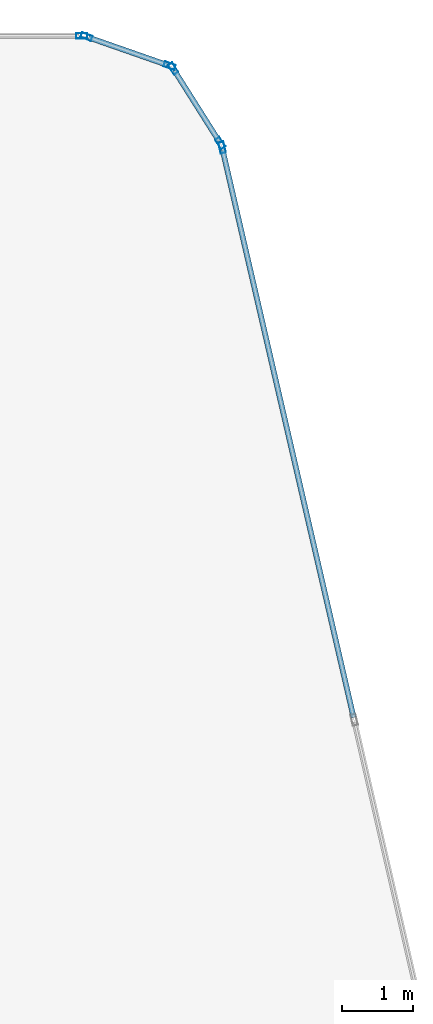
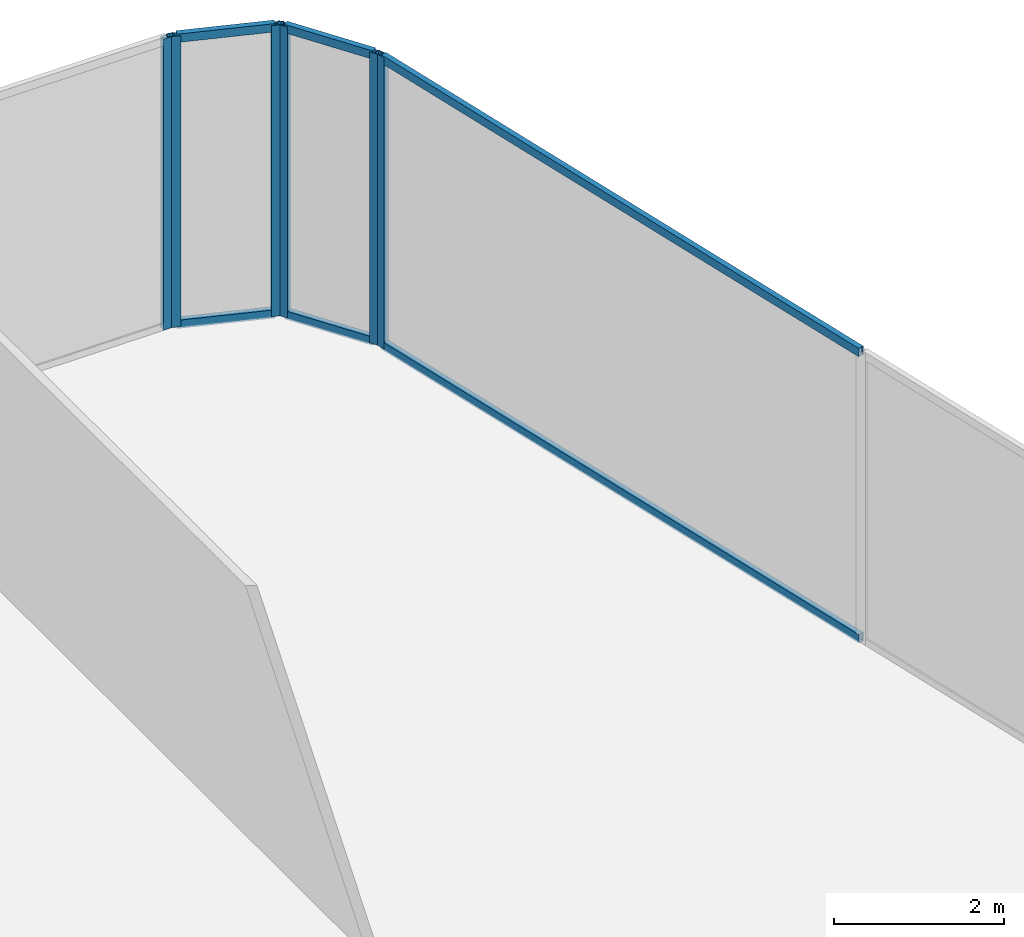
# One storey, part 23 of 31: 12 members, 4 elements without a shape of their own.
"""IFC4 building model written with IfcOpenShell, lengths in metres."""

from ifc_helpers import new_model, si_unit, direction, frame, origin, origin_2d, place, context, subcontext, project, spatial, hollow_rectangle, extrude, material, layer, layer_set, material_profile, profile_set, type_object, element, aggregate, save


model = new_model("IFC4")

# Units and contexts
model_context = context("Model", 3, precision=1e-05, world=origin(), true_north=direction((0.0, 1.0)))
body_context = subcontext(model_context, "Body", "Model", "MODEL_VIEW")
ifc_project = project(units=[si_unit("LENGTHUNIT", "METRE"), si_unit("AREAUNIT", "SQUARE_METRE"), si_unit("VOLUMEUNIT", "CUBIC_METRE"), si_unit("PLANEANGLEUNIT", "RADIAN"), si_unit("MASSUNIT", "GRAM", prefix="KILO")], contexts=[model_context])

# Site, building, storey
site_placement = place(None, origin())
site = spatial("IfcSite", under=ifc_project, at=site_placement, CompositionType="ELEMENT")
building_placement = place(site_placement, origin())
building = spatial("IfcBuilding", under=site, at=building_placement, Name="Keshet Zoharim Tower", CompositionType="ELEMENT")
storey_placement = place(building_placement, frame((0.0, 0.0, 183.89990234375)))
storey = spatial("IfcBuildingStorey", under=building, at=storey_placement, Name="L45", CompositionType="ELEMENT", Elevation=183.89990234375)

# Curtain wall, member
ifc_material = material(Name="Aluminium 6063-T6", Category="aluminium")
ifc_layer = layer(ifc_material, 0.139892578125)
ifc_layer_set = layer_set([ifc_layer], Name="Aluminium 6063-T6")
curtain_wall_type = type_object("IfcCurtainWallType", Name="CW-SYS-05", PredefinedType="NOTDEFINED", material=ifc_layer_set)
curtain_wall_1_placement = place(storey_placement, origin())
curtain_wall_1 = element("IfcCurtainWall", 1, at=curtain_wall_1_placement, inside=storey, type_object=curtain_wall_type, Name="L45 Unitised Curtain Wall 01 Part 3", PredefinedType="NOTDEFINED")
ifc_material_profile_1 = material_profile(ifc_material, hollow_rectangle(XDim=0.074951171875, YDim=0.159912109375, WallThickness=0.00390625, at=origin_2d()), Name="MUL-75x160")
ifc_profile_set_1 = profile_set([ifc_material_profile_1], Name="Aluminium 6063-T6")
member_type_1 = type_object("IfcMemberType", Name="CWM-M15", PredefinedType="MULLION", material=ifc_profile_set_1)
member_1_placement = place(storey_placement, frame((37.3740234375, 53.89990234375, 0.0), z_axis=(0.0, 0.0, 1.0), x_axis=(0.0, 1.0, 0.0)))
member_1 = element("IfcMember", 2, at=member_1_placement, type_object=member_type_1, Name="CW-05 mullion 3", PredefinedType="MULLION", context=body_context, shape_type="SweptSolid", body=[
    extrude(hollow_rectangle(XDim=0.074951171875, YDim=0.159912109375, WallThickness=0.00390625, at=origin_2d()), origin(), (0.0, 0.0, 1.0), 4.190185546875),
])
aggregate(curtain_wall_1, [member_1])

# Curtain wall, members
curtain_wall_2_placement = place(storey_placement, origin())
curtain_wall_2 = element("IfcCurtainWall", 3, at=curtain_wall_2_placement, inside=storey, type_object=curtain_wall_type, Name="L45 Unitised Curtain Wall 02", PredefinedType="NOTDEFINED")
member_2_placement = place(storey_placement, frame((37.442138671875, 53.888427734375, 0.0), z_axis=(0.0, 0.0, 1.0), x_axis=(0.329843743636, 0.944035542119, 0.0)))
member_2 = element("IfcMember", 4, at=member_2_placement, type_object=member_type_1, Name="CW-05 mullion 1", PredefinedType="MULLION", context=body_context, shape_type="SweptSolid", body=[
    extrude(hollow_rectangle(XDim=0.074951171875, YDim=0.159912109375, WallThickness=0.00390625, at=origin_2d()), origin(), (0.0, 0.0, 1.0), 4.190185546875),
])
member_3_placement = place(storey_placement, frame((38.620849609375, 53.4765625, 0.0), z_axis=(0.0, 0.0, 1.0), x_axis=(0.329843743636, 0.944035542119, 0.0)))
member_3 = element("IfcMember", 5, at=member_3_placement, type_object=member_type_1, Name="CW-05 mullion 2", PredefinedType="MULLION", context=body_context, shape_type="SweptSolid", body=[
    extrude(hollow_rectangle(XDim=0.074951171875, YDim=0.159912109375, WallThickness=0.00390625, at=origin_2d()), origin(), (0.0, 0.0, 1.0), 4.190185546875),
])

curtain_wall_3_placement = place(storey_placement, origin())
curtain_wall_3 = element("IfcCurtainWall", 6, at=curtain_wall_3_placement, inside=storey, type_object=curtain_wall_type, Name="L45 Unitised Curtain Wall 03", PredefinedType="NOTDEFINED")
member_4_placement = place(storey_placement, frame((38.672607421875, 53.435302734375, 0.0), z_axis=(0.0, 0.0, 1.0), x_axis=(0.845560976183, 0.533878858502, 0.0)))
member_4 = element("IfcMember", 7, at=member_4_placement, type_object=member_type_1, Name="CW-05 mullion 1", PredefinedType="MULLION", context=body_context, shape_type="SweptSolid", body=[
    extrude(hollow_rectangle(XDim=0.074951171875, YDim=0.159912109375, WallThickness=0.00390625, at=origin_2d()), origin(), (0.0, 0.0, 1.0), 4.190185546875),
])
member_5_placement = place(storey_placement, frame((39.33935546875, 52.379638671875, 0.0), z_axis=(0.0, 0.0, 1.0), x_axis=(0.845560976183, 0.533878858502, 0.0)))
member_5 = element("IfcMember", 8, at=member_5_placement, type_object=member_type_1, Name="CW-05 mullion 2", PredefinedType="MULLION", context=body_context, shape_type="SweptSolid", body=[
    extrude(hollow_rectangle(XDim=0.074951171875, YDim=0.159912109375, WallThickness=0.00390625, at=origin_2d()), origin(), (0.0, 0.0, 1.0), 4.190185546875),
])

# Curtain wall, member
curtain_wall_4_placement = place(storey_placement, origin())
curtain_wall_4 = element("IfcCurtainWall", 9, at=curtain_wall_4_placement, inside=storey, type_object=curtain_wall_type, Name="L45 Unitised Curtain Wall 04", PredefinedType="NOTDEFINED")
member_6_placement = place(storey_placement, frame((39.365966796875, 52.31591796875, 0.0), z_axis=(0.0, 0.0, 1.0), x_axis=(0.974393882313, 0.224847864369, 0.0)))
member_6 = element("IfcMember", 10, at=member_6_placement, type_object=member_type_1, Name="CW-05 mullion 1", PredefinedType="MULLION", context=body_context, shape_type="SweptSolid", body=[
    extrude(hollow_rectangle(XDim=0.074951171875, YDim=0.159912109375, WallThickness=0.00390625, at=origin_2d()), origin(), (0.0, 0.0, 1.0), 4.190185546875),
])

# Member
ifc_material_profile_2 = material_profile(ifc_material, hollow_rectangle(XDim=0.074951171875, YDim=0.1201171875, WallThickness=0.00390625, at=origin_2d()), Name="TRN-75x120")
ifc_profile_set_2 = profile_set([ifc_material_profile_2], Name="Aluminium 6063-T6")
member_type_2 = type_object("IfcMemberType", Name="CWT-T12", PredefinedType="USERDEFINED", material=ifc_profile_set_2)
member_7_placement = place(storey_placement, frame((37.47509765625, 53.876953125, 0.03515625), z_axis=(0.944006789648, -0.329926023675, 0.0), x_axis=(0.329926023675, 0.944006789648, 0.0)))
member_7 = element("IfcMember", 11, at=member_7_placement, type_object=member_type_2, Name="CW-05 transom 1.1", ObjectType="TRANSOM", PredefinedType="USERDEFINED", context=body_context, shape_type="SweptSolid", body=[
    extrude(hollow_rectangle(XDim=0.074951171875, YDim=0.1201171875, WallThickness=0.00390625, at=origin_2d()), origin(), (0.0, 0.0, 1.0), 1.1787109375),
])

member_8_placement = place(storey_placement, frame((37.47509765625, 53.876953125, 4.155029296875), z_axis=(0.944006789648, -0.329926023675, 0.0), x_axis=(0.329926023675, 0.944006789648, 0.0)))
member_8 = element("IfcMember", 12, at=member_8_placement, type_object=member_type_2, Name="CW-05 transom 1.2", ObjectType="TRANSOM", PredefinedType="USERDEFINED", context=body_context, shape_type="SweptSolid", body=[
    extrude(hollow_rectangle(XDim=0.074951171875, YDim=0.1201171875, WallThickness=0.00390625, at=origin_2d()), origin(), (0.0, 0.0, 1.0), 1.1787109375),
])

aggregate(curtain_wall_2, [member_2, member_3, member_7, member_8])

member_9_placement = place(storey_placement, frame((38.69140625, 53.40576171875, 0.03515625), z_axis=(0.53382931122, -0.845592257819, 0.0), x_axis=(0.845592257819, 0.53382931122, 0.0)))
member_9 = element("IfcMember", 13, at=member_9_placement, type_object=member_type_2, Name="CW-05 transom 1.1", ObjectType="TRANSOM", PredefinedType="USERDEFINED", context=body_context, shape_type="SweptSolid", body=[
    extrude(hollow_rectangle(XDim=0.074951171875, YDim=0.1201171875, WallThickness=0.00390625, at=origin_2d()), origin(), (0.0, 0.0, 1.0), 1.178466796875),
])

member_10_placement = place(storey_placement, frame((38.69140625, 53.40576171875, 4.155029296875), z_axis=(0.53382931122, -0.845592257819, 0.0), x_axis=(0.845592257819, 0.53382931122, 0.0)))
member_10 = element("IfcMember", 14, at=member_10_placement, type_object=member_type_2, Name="CW-05 transom 1.2", ObjectType="TRANSOM", PredefinedType="USERDEFINED", context=body_context, shape_type="SweptSolid", body=[
    extrude(hollow_rectangle(XDim=0.074951171875, YDim=0.1201171875, WallThickness=0.00390625, at=origin_2d()), origin(), (0.0, 0.0, 1.0), 1.178466796875),
])

aggregate(curtain_wall_3, [member_4, member_5, member_9, member_10])

member_11_placement = place(storey_placement, frame((39.373779296875, 52.28173828125, 0.03515625), z_axis=(0.224835758738, -0.974396675688, 0.0), x_axis=(0.974396675688, 0.224835758738, 0.0)))
member_11 = element("IfcMember", 15, at=member_11_placement, type_object=member_type_2, Name="CW-05 transom 1.1", ObjectType="TRANSOM", PredefinedType="USERDEFINED", context=body_context, shape_type="SweptSolid", body=[
    extrude(hollow_rectangle(XDim=0.074951171875, YDim=0.1201171875, WallThickness=0.00390625, at=origin_2d()), origin(), (0.0, 0.0, 1.0), 8.259033203125),
])

member_12_placement = place(storey_placement, frame((39.373779296875, 52.28173828125, 4.155029296875), z_axis=(0.224835758738, -0.974396675688, 0.0), x_axis=(0.974396675688, 0.224835758738, 0.0)))
member_12 = element("IfcMember", 16, at=member_12_placement, type_object=member_type_2, Name="CW-05 transom 1.2", ObjectType="TRANSOM", PredefinedType="USERDEFINED", context=body_context, shape_type="SweptSolid", body=[
    extrude(hollow_rectangle(XDim=0.074951171875, YDim=0.1201171875, WallThickness=0.00390625, at=origin_2d()), origin(), (0.0, 0.0, 1.0), 8.259033203125),
])

aggregate(curtain_wall_4, [member_6, member_11, member_12])

save(model, "model.ifc")
